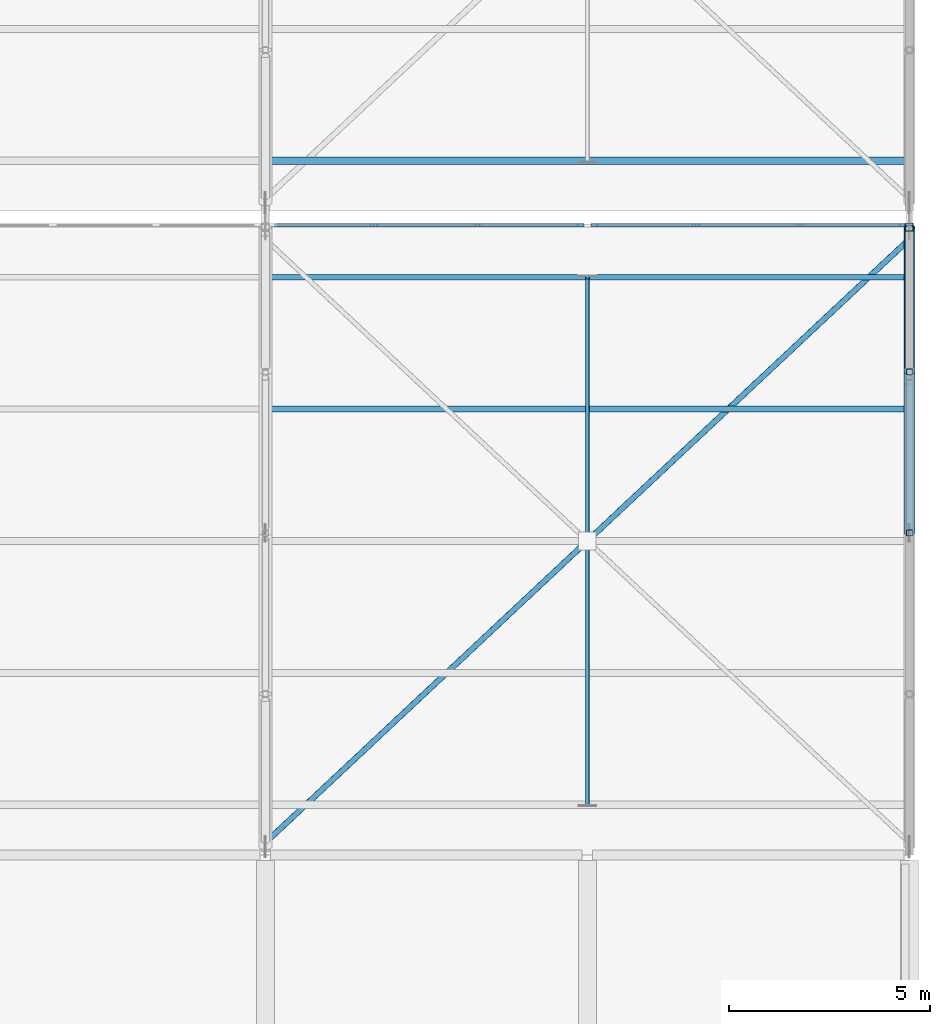
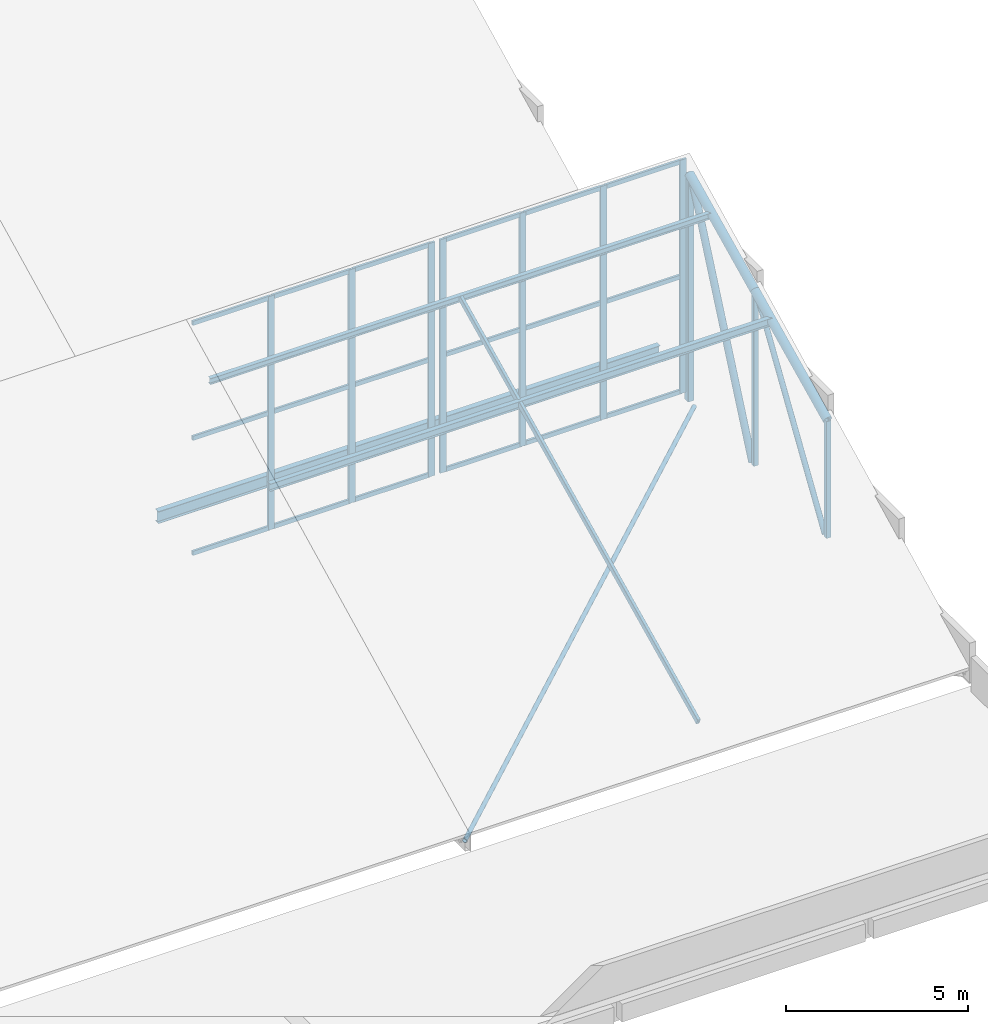
# One storey, part 85 of 137: 34 members, 3 beams, 2 elements without a shape of their own.
"""IFC4 building model written with IfcOpenShell, lengths in metres."""

import ifcopenshell
import ifcopenshell.guid

model = None  # the IFC model being written
_history = None  # IfcOwnerHistory: only IFC2X3 demands one
_inside = {}  # id of a spatial element -> (the spatial element, [elements in it])
_under = {}  # id of a project, library or spatial element -> (it, [spatial elements below it])
_declared = {}  # id of a project -> (the project, [libraries it declares])
_typed = {}  # id of a type object -> (the type object, [elements of that type])
_made_of = {}  # id of a material, layer set ... -> (it, [elements and type objects made of it])


def new_model(schema):
    """Start an empty IFC model of exactly this schema.

    Asked for "IFC4X3", IfcOpenShell would pick the latest addendum, in which some entities
    have other attributes; the version numbers below select the first issue.
    IFC2X3 requires an IfcOwnerHistory on every rooted entity: one is made here for all.
    """
    global model, _history
    if schema == "IFC4X3":
        model = ifcopenshell.file(schema_version=(4, 3, 0, 0))
    else:
        model = ifcopenshell.file(schema=schema)
    _inside.clear()
    _under.clear()
    _declared.clear()
    _typed.clear()
    _made_of.clear()
    _history = None
    if model.schema == "IFC2X3":
        org = make("IfcOrganization", Name="unknown")
        user = make(
            "IfcPersonAndOrganization",
            ThePerson=make("IfcPerson", FamilyName="unknown"),
            TheOrganization=org,
        )
        app = make(
            "IfcApplication",
            ApplicationDeveloper=org,
            Version="unknown",
            ApplicationFullName="unknown",
            ApplicationIdentifier="unknown",
        )
        _history = make(
            "IfcOwnerHistory",
            OwningUser=user,
            OwningApplication=app,
            ChangeAction="ADDED",
            CreationDate=0,
        )
    return model


def make(cls, **values):
    """One entity of the class cls with the attributes given. An attribute that is None is left unset."""
    return model.create_entity(
        cls, **{name: value for name, value in values.items() if value is not None}
    )


def rooted(cls, **values):
    """An entity with a GlobalId (a new one), such as an element, a storey or a relation."""
    return make(cls, GlobalId=ifcopenshell.guid.new(), OwnerHistory=_history, **values)


def si_unit(unit_type, name, prefix=None):
    """IfcSIUnit, for example si_unit("LENGTHUNIT", "METRE", prefix="MILLI")."""
    return make("IfcSIUnit", UnitType=unit_type, Prefix=prefix, Name=name)


def assignment(units):
    """IfcUnitAssignment: the units of a project."""
    return None if units is None else make("IfcUnitAssignment", Units=units)


def point(xyz):
    """IfcCartesianPoint."""
    return None if xyz is None else make("IfcCartesianPoint", Coordinates=xyz)


def direction(xyz):
    """IfcDirection."""
    return None if xyz is None else make("IfcDirection", DirectionRatios=xyz)


def frame(location, z_axis=None, x_axis=None):
    """IfcAxis2Placement3D, a coordinate frame: its origin and axes. An axis left out is left unset."""
    return make(
        "IfcAxis2Placement3D",
        Location=point(location),
        Axis=direction(z_axis),
        RefDirection=direction(x_axis),
    )


def frame_2d(location, x_axis=None):
    """IfcAxis2Placement2D, a coordinate frame in the plane: its origin and x axis."""
    return make(
        "IfcAxis2Placement2D", Location=point(location), RefDirection=direction(x_axis)
    )


def origin():
    """The frame at (0, 0, 0) with its axes left unset."""
    return frame((0.0, 0.0, 0.0))


def origin_2d():
    """The frame at (0, 0) in the plane with its x axis left unset."""
    return frame_2d((0.0, 0.0))


def place(relative_to, where):
    """IfcLocalPlacement: puts the frame where relative to a parent placement (None: the world)."""
    return make(
        "IfcLocalPlacement", PlacementRelTo=relative_to, RelativePlacement=where
    )


def context(
    kind, dimensions, precision=None, world=None, true_north=None, identifier=None
):
    """IfcGeometricRepresentationContext, for example the 3D "Model" context."""
    return make(
        "IfcGeometricRepresentationContext",
        ContextIdentifier=identifier,
        ContextType=kind,
        CoordinateSpaceDimension=dimensions,
        Precision=precision,
        WorldCoordinateSystem=world,
        TrueNorth=true_north,
    )


def subcontext(parent, identifier, kind, view, scale=None):
    """IfcGeometricRepresentationSubContext, for example "Body" below "Model"."""
    return make(
        "IfcGeometricRepresentationSubContext",
        ContextIdentifier=identifier,
        ContextType=kind,
        ParentContext=parent,
        TargetScale=scale,
        TargetView=view,
    )


def project(units=None, contexts=None):
    """IfcProject with its units and contexts."""
    return rooted(
        "IfcProject",
        Name="project",
        RepresentationContexts=contexts,
        UnitsInContext=assignment(units),
    )


def spatial(cls, under=None, at=None, **own):
    """A site, building, storey or space (cls), placed at a placement, below another one or the project."""
    s = rooted(cls, ObjectPlacement=at, **own)
    if under is not None:
        _under.setdefault(under.id(), (under, []))[1].append(s)
    return s


def profile(cls, at=None, kind="AREA", **sizes):
    """A parametric profile (cls). Its sizes go by their IFC names, for example OverallWidth=200.0."""
    return make(cls, ProfileType=kind, Position=at, **sizes)


def rectangle(**sizes):
    """IfcRectangleProfileDef."""
    return profile("IfcRectangleProfileDef", **sizes)


def hollow_rectangle(**sizes):
    """IfcRectangleHollowProfileDef."""
    return profile("IfcRectangleHollowProfileDef", **sizes)


def hollow_circle(**sizes):
    """IfcCircleHollowProfileDef."""
    return profile("IfcCircleHollowProfileDef", **sizes)


def i_section(**sizes):
    """IfcIShapeProfileDef."""
    return profile("IfcIShapeProfileDef", **sizes)


def extrude(swept, where, along, depth):
    """IfcExtrudedAreaSolid: the profile swept, set in the frame where, extruded along a direction by depth."""
    return make(
        "IfcExtrudedAreaSolid",
        SweptArea=swept,
        Position=where,
        ExtrudedDirection=direction(along),
        Depth=depth,
    )


def shape(context_of_items, identifier, shape_type, items):
    """IfcShapeRepresentation: the items that make up one representation, for example the "Body"."""
    return make(
        "IfcShapeRepresentation",
        ContextOfItems=context_of_items,
        RepresentationIdentifier=identifier,
        RepresentationType=shape_type,
        Items=items,
    )


def material(Name=None, Category=None):
    """IfcMaterial."""
    return make("IfcMaterial", Name=Name, Category=Category)


def layer(
    of_material, thickness, ventilated=None, Name=None, Category=None, Priority=None
):
    """IfcMaterialLayer: one layer of a wall or slab, of a material (None: an air gap)."""
    return make(
        "IfcMaterialLayer",
        Material=of_material,
        LayerThickness=thickness,
        IsVentilated=ventilated,
        Name=Name,
        Category=Category,
        Priority=Priority,
    )


def layer_set(layers, Name=None):
    """IfcMaterialLayerSet."""
    return make("IfcMaterialLayerSet", MaterialLayers=layers, LayerSetName=Name)


def material_profile(
    of_material, cross_section, Name=None, Category=None, Priority=None
):
    """IfcMaterialProfile: a cross section and its material."""
    return make(
        "IfcMaterialProfile",
        Name=Name,
        Material=of_material,
        Profile=cross_section,
        Priority=Priority,
        Category=Category,
    )


def profile_set(profiles, Name=None, composite=None):
    """IfcMaterialProfileSet."""
    return make(
        "IfcMaterialProfileSet",
        Name=Name,
        MaterialProfiles=profiles,
        CompositeProfile=composite,
    )


def made_of(thing, what):
    """Note that an element or type object is made of a material, layer set ...; save() writes the relation."""
    if what is not None:
        _made_of.setdefault(what.id(), (what, []))[1].append(thing)
    return thing


def type_object(cls, material=None, **own):
    """A type object (cls), such as IfcWallType, which elements share."""
    return made_of(rooted(cls, **own), material)


def element(
    cls,
    number,
    at=None,
    inside=None,
    cuts=None,
    type_object=None,
    material=None,
    context=None,
    identifier="Body",
    shape_type=None,
    held_by="IfcProductDefinitionShape",
    body=None,
    shapes=None,
    **own,
):
    """One element of the class cls, such as IfcWall. Its Tag is "e" and its number.

    at: its placement. inside: the storey or other place that contains it. cuts: it is an
    opening in that element (IfcRelVoidsElement). A single representation is given by context,
    identifier, shape_type and body (its items); several are given by shapes. held_by: the class
    of the entity that holds the representations. save() writes the other relations.
    """
    e = rooted(cls, Tag="e%d" % number, ObjectPlacement=at, **own)
    if body is not None:
        shapes = [shape(context, identifier, shape_type, body)]
    if shapes is not None:
        e.Representation = make(held_by, Representations=shapes)
    if inside is not None:
        _inside.setdefault(inside.id(), (inside, []))[1].append(e)
    if cuts is not None:
        rooted(
            "IfcRelVoidsElement", RelatingBuildingElement=cuts, RelatedOpeningElement=e
        )
    if type_object is not None:
        _typed.setdefault(type_object.id(), (type_object, []))[1].append(e)
    return made_of(e, material)


def aggregate(whole, parts):
    """IfcRelAggregates: a whole, such as a stair, and the parts it consists of."""
    return rooted("IfcRelAggregates", RelatingObject=whole, RelatedObjects=parts)


def save(model, path):
    """Write the relations noted so far, then the file.

    IfcRelAggregates (storeys below a building ...), IfcRelContainedInSpatialStructure (elements
    in a storey), IfcRelDefinesByType, IfcRelAssociatesMaterial and IfcRelDeclares: one each for
    every whole, place, type object, material and project.
    """
    for whole, parts in _under.values():
        aggregate(whole, parts)
    for where, things in _inside.values():
        rooted(
            "IfcRelContainedInSpatialStructure",
            RelatedElements=things,
            RelatingStructure=where,
        )
    for kind, things in _typed.values():
        rooted("IfcRelDefinesByType", RelatedObjects=things, RelatingType=kind)
    for what, things in _made_of.values():
        rooted("IfcRelAssociatesMaterial", RelatedObjects=things, RelatingMaterial=what)
    for by, libraries in _declared.values():
        rooted("IfcRelDeclares", RelatingContext=by, RelatedDefinitions=libraries)
    model.write(path)


model = new_model("IFC4")

# Units and contexts
model_context = context("Model", 3, precision=1e-05, world=origin(), true_north=direction((0.0, 1.0)))
body_context = subcontext(model_context, "Body", "Model", "MODEL_VIEW")
ifc_project = project(units=[si_unit("LENGTHUNIT", "METRE"), si_unit("AREAUNIT", "SQUARE_METRE"), si_unit("VOLUMEUNIT", "CUBIC_METRE"), si_unit("PLANEANGLEUNIT", "RADIAN"), si_unit("MASSUNIT", "GRAM", prefix="KILO")], contexts=[model_context])

# Site, building, storey
site_placement = place(None, origin())
site = spatial("IfcSite", under=ifc_project, at=site_placement, CompositionType="ELEMENT")
building_placement = place(site_placement, origin())
building = spatial("IfcBuilding", under=site, at=building_placement, Name="Jelvoka-Kovrelna Polytechnic", CompositionType="ELEMENT")
storey_placement = place(building_placement, frame((0.0, 0.0, 9.60009765625)))
storey = spatial("IfcBuildingStorey", under=building, at=storey_placement, Name="L03", CompositionType="ELEMENT", Elevation=9.60009765625)

# Members
ifc_material_1 = material(Name="Structural steel S355J2H", Category="steel")
ifc_material_profile_1 = material_profile(ifc_material_1, hollow_circle(Radius=0.06982421875, WallThickness=0.00634765625, at=origin_2d()), Name="139.7x6.3 CHS")
ifc_profile_set_1 = profile_set([ifc_material_profile_1], Name="Structural steel S355J2H")
member_type_1 = type_object("IfcMemberType", Name="Member_Brace_CHS140", PredefinedType="BRACE", material=ifc_profile_set_1)
member_1_placement = place(storey_placement, frame((184.050048828125, 88.35009765625, 0.14990234375), z_axis=(0.72968044266, 0.683788309055, 0.0), x_axis=(-0.683788309055, 0.72968044266, 0.0)))
element("IfcMember", 1, at=member_1_placement, inside=storey, type_object=member_type_1, Name="Sawtooth roof continuous X-brace 0226", PredefinedType="BRACE", context=body_context, shape_type="SweptSolid", body=[
    extrude(hollow_circle(Radius=0.06982421875, WallThickness=0.00634765625, at=origin_2d()), origin(), (0.0, 0.0, 1.0), 21.790283203125),
])
ifc_material_2 = material(Name="Structural steel S355J2H", Category="steel")
ifc_material_profile_2 = material_profile(ifc_material_2, hollow_circle(Radius=0.084228515625, WallThickness=0.008056640625, at=origin_2d()), Name="168.3x8.0 CHS")
ifc_profile_set_2 = profile_set([ifc_material_profile_2], Name="Structural steel S355J2H")
member_type_2 = type_object("IfcMemberType", Name="Member_Brace_CHS168", PredefinedType="BRACE", material=ifc_profile_set_2)
member_2_placement = place(storey_placement, frame((200.0, 96.139892578125, 0.14990234375), z_axis=(0.0, 0.5415746521, 0.840652660855), x_axis=(-1.0, 0.0, 0.0)))
element("IfcMember", 2, at=member_2_placement, inside=storey, type_object=member_type_2, Name="Sawtooth truss 8 diagonal web 1.3", PredefinedType="BRACE", context=body_context, shape_type="SweptSolid", body=[
    extrude(hollow_circle(Radius=0.084228515625, WallThickness=0.008056640625, at=origin_2d()), origin(), (0.0, 0.0, 1.0), 6.869140625),
])
ifc_material_3 = material(Name="Structural steel S355J2H", Category="steel")
ifc_material_profile_3 = material_profile(ifc_material_3, hollow_circle(Radius=0.109619140625, WallThickness=0.008056640625, at=origin_2d()), Name="219.1x8.0 CHS")
ifc_profile_set_3 = profile_set([ifc_material_profile_3], Name="Structural steel S355J2H")
member_type_3 = type_object("IfcMemberType", Name="Member_Brace_CHS219", PredefinedType="BRACE", material=ifc_profile_set_3)
member_3_placement = place(storey_placement, frame((200.0, 100.139892578125, 0.14990234375), z_axis=(0.0, 0.404336237521, 0.914610412705), x_axis=(-1.0, 0.0, 0.0)))
element("IfcMember", 3, at=member_3_placement, inside=storey, type_object=member_type_3, Name="Sawtooth truss 8 diagonal web 1.4", PredefinedType="BRACE", context=body_context, shape_type="SweptSolid", body=[
    extrude(hollow_circle(Radius=0.109619140625, WallThickness=0.008056640625, at=origin_2d()), origin(), (0.0, 0.0, 1.0), 8.211181640625),
])
ifc_material_4 = material(Name="Structural steel S355J2H", Category="steel")
ifc_material_profile_4 = material_profile(ifc_material_4, hollow_circle(Radius=0.136474609375, WallThickness=0.010009765625, at=origin_2d()), Name="273.0x10.0 CHS")
ifc_profile_set_4 = profile_set([ifc_material_profile_4], Name="Structural steel S355J2H")
member_type_4 = type_object("IfcMemberType", Name="Member_Chord_CHS273", PredefinedType="CHORD", material=ifc_profile_set_4)
member_4_placement = place(storey_placement, frame((200.0, 96.0, 4.076416015625), z_axis=(0.0, 0.900820911068, 0.434190840741), x_axis=(-1.0, 0.0, 0.0)))
element("IfcMember", 4, at=member_4_placement, inside=storey, type_object=member_type_4, Name="Sawtooth truss 8 top chord 1.3", PredefinedType="CHORD", context=body_context, shape_type="SweptSolid", body=[
    extrude(hollow_circle(Radius=0.136474609375, WallThickness=0.010009765625, at=origin_2d()), origin(), (0.0, 0.0, 1.0), 4.4404296875),
])
member_5_placement = place(storey_placement, frame((200.0, 100.0, 6.00439453125), z_axis=(0.0, 0.900784896778, 0.434265552095), x_axis=(-1.0, 0.0, 0.0)))
element("IfcMember", 5, at=member_5_placement, inside=storey, type_object=member_type_4, Name="Sawtooth truss 8 top chord 1.4", PredefinedType="CHORD", context=body_context, shape_type="SweptSolid", body=[
    extrude(hollow_circle(Radius=0.136474609375, WallThickness=0.010009765625, at=origin_2d()), origin(), (0.0, 0.0, 1.0), 3.99658203125),
])
ifc_material_5 = material(Name="Structural steel S355J2H", Category="steel")
ifc_material_profile_5 = material_profile(ifc_material_5, hollow_rectangle(XDim=0.14990234375, YDim=0.14990234375, WallThickness=0.008056640625, InnerFilletRadius=0.008056640625, OuterFilletRadius=0.011962890625, at=origin_2d()), Name="150x150x8.0 SHS")
ifc_profile_set_5 = profile_set([ifc_material_profile_5], Name="Structural steel S355J2H")
member_type_5 = type_object("IfcMemberType", Name="Member_Post_SHS150", PredefinedType="POST", material=ifc_profile_set_5)
member_6_placement = place(storey_placement, frame((200.0, 96.0, 0.14990234375), z_axis=(0.0, 0.0, 1.0), x_axis=(1.0, 0.0, 0.0)))
element("IfcMember", 6, at=member_6_placement, inside=storey, type_object=member_type_5, Name="Sawtooth truss 8 web post 1.3", PredefinedType="POST", context=body_context, shape_type="SweptSolid", body=[
    extrude(hollow_rectangle(XDim=0.14990234375, YDim=0.14990234375, WallThickness=0.008056640625, InnerFilletRadius=0.008056640625, OuterFilletRadius=0.011962890625, at=origin_2d()), origin(), (0.0, 0.0, 1.0), 3.926513671875),
])
member_7_placement = place(storey_placement, frame((200.0, 100.0, 0.14990234375), z_axis=(0.0, 0.0, 1.0), x_axis=(1.0, 0.0, 0.0)))
element("IfcMember", 7, at=member_7_placement, inside=storey, type_object=member_type_5, Name="Sawtooth truss 8 web post 1.4", PredefinedType="POST", context=body_context, shape_type="SweptSolid", body=[
    extrude(hollow_rectangle(XDim=0.14990234375, YDim=0.14990234375, WallThickness=0.008056640625, InnerFilletRadius=0.008056640625, OuterFilletRadius=0.011962890625, at=origin_2d()), origin(), (0.0, 0.0, 1.0), 5.8544921875),
])
ifc_material_6 = material(Name="Structural steel S355J2H", Category="steel")
ifc_material_profile_6 = material_profile(ifc_material_6, hollow_rectangle(XDim=0.199951171875, YDim=0.199951171875, WallThickness=0.010009765625, InnerFilletRadius=0.010009765625, OuterFilletRadius=0.014892578125, at=origin_2d()), Name="200x200x10.0 SHS")
ifc_profile_set_6 = profile_set([ifc_material_profile_6], Name="Structural steel S355J2H")
member_type_6 = type_object("IfcMemberType", Name="Member_Post_SHS200", PredefinedType="POST", material=ifc_profile_set_6)
member_8_placement = place(storey_placement, frame((200.0, 103.60009765625, 0.14990234375), z_axis=(0.0, 0.0, 1.0), x_axis=(1.0, 0.0, 0.0)))
element("IfcMember", 8, at=member_8_placement, inside=storey, type_object=member_type_6, Name="Sawtooth truss 8 web post 1.5", PredefinedType="POST", context=body_context, shape_type="SweptSolid", body=[
    extrude(hollow_rectangle(XDim=0.199951171875, YDim=0.199951171875, WallThickness=0.010009765625, InnerFilletRadius=0.010009765625, OuterFilletRadius=0.014892578125, at=origin_2d()), origin(), (0.0, 0.0, 1.0), 7.590087890625),
])
ifc_material_7 = material(Name="Structural steel S355J2H", Category="steel")
ifc_material_profile_7 = material_profile(ifc_material_7, hollow_rectangle(XDim=0.10009765625, YDim=0.199951171875, WallThickness=0.008056640625, InnerFilletRadius=0.008056640625, OuterFilletRadius=0.011962890625, at=origin_2d()), Name="200x100x8.0 RHS")
ifc_profile_set_7 = profile_set([ifc_material_profile_7], Name="Structural steel S355J2H")
member_type_7 = type_object("IfcMemberType", Name="Member_Rafter_RHS200", PredefinedType="RAFTER", material=ifc_profile_set_7)
member_9_placement = place(storey_placement, frame((192.0, 89.248046875, 0.821533203125), z_axis=(0.0, 0.900805023058, 0.434223802243), x_axis=(-1.0, 0.0, 0.0)))
element("IfcMember", 9, at=member_9_placement, inside=storey, type_object=member_type_7, Name="Sawtooth mid-bay secondary rafter 7.1", PredefinedType="RAFTER", context=body_context, shape_type="SweptSolid", body=[
    extrude(hollow_rectangle(XDim=0.10009765625, YDim=0.199951171875, WallThickness=0.008056640625, InnerFilletRadius=0.008056640625, OuterFilletRadius=0.011962890625, at=origin_2d()), origin(), (0.0, 0.0, 1.0), 14.546875),
])

# Curtain wall, members
ifc_material_8 = material(Name="Anodised aluminium 6063-T6", Category="aluminium")
ifc_layer = layer(ifc_material_8, 0.199951171875)
ifc_layer_set = layer_set([ifc_layer], Name="Anodised aluminium 6063-T6")
curtain_wall_type = type_object("IfcCurtainWallType", Name="CW_Clerestory", PredefinedType="NOTDEFINED", material=ifc_layer_set)
curtain_wall_1_placement = place(storey_placement, origin())
curtain_wall_1 = element("IfcCurtainWall", 10, at=curtain_wall_1_placement, inside=storey, type_object=curtain_wall_type, Name="L03 glazed curtain wall 207", PredefinedType="NOTDEFINED")
ifc_material_9 = material(Name="Anodised aluminium 6063-T6", Category="aluminium")
ifc_material_profile_8 = material_profile(ifc_material_9, rectangle(XDim=0.070068359375, YDim=0.199951171875, at=origin_2d()), Name="ALU 70x200")
ifc_profile_set_8 = profile_set([ifc_material_profile_8], Name="Anodised aluminium 6063-T6")
member_type_8 = type_object("IfcMemberType", Name="Mullion_M-03", PredefinedType="MULLION", material=ifc_profile_set_8)
member_10_placement = place(storey_placement, frame((186.716552734375, 103.64990234375, 0.425048828125), z_axis=(0.0, 0.0, 1.0), x_axis=(0.0, 1.0, 0.0)))
member_10 = element("IfcMember", 11, at=member_10_placement, type_object=member_type_8, Name="CW-03 mullion 2", PredefinedType="MULLION", context=body_context, shape_type="SweptSolid", body=[
    extrude(rectangle(XDim=0.070068359375, YDim=0.199951171875, at=origin_2d()), origin(), (0.0, 0.0, 1.0), 7.85009765625),
])
member_11_placement = place(storey_placement, frame((189.283447265625, 103.64990234375, 0.425048828125), z_axis=(0.0, 0.0, 1.0), x_axis=(0.0, 1.0, 0.0)))
member_11 = element("IfcMember", 12, at=member_11_placement, type_object=member_type_8, Name="CW-03 mullion 3", PredefinedType="MULLION", context=body_context, shape_type="SweptSolid", body=[
    extrude(rectangle(XDim=0.070068359375, YDim=0.199951171875, at=origin_2d()), origin(), (0.0, 0.0, 1.0), 7.85009765625),
])
member_12_placement = place(storey_placement, frame((191.81494140625, 103.64990234375, 0.425048828125), z_axis=(0.0, 0.0, 1.0), x_axis=(0.0, 1.0, 0.0)))
member_12 = element("IfcMember", 13, at=member_12_placement, type_object=member_type_8, Name="CW-03 mullion 4", PredefinedType="MULLION", context=body_context, shape_type="SweptSolid", body=[
    extrude(rectangle(XDim=0.070068359375, YDim=0.199951171875, at=origin_2d()), origin(), (0.0, 0.0, 1.0), 7.85009765625),
])

curtain_wall_2_placement = place(storey_placement, origin())
curtain_wall_2 = element("IfcCurtainWall", 14, at=curtain_wall_2_placement, inside=storey, type_object=curtain_wall_type, Name="L03 glazed curtain wall 209", PredefinedType="NOTDEFINED")
member_13_placement = place(storey_placement, frame((192.18505859375, 103.64990234375, 0.425048828125), z_axis=(0.0, 0.0, 1.0), x_axis=(0.0, 1.0, 0.0)))
member_13 = element("IfcMember", 15, at=member_13_placement, type_object=member_type_8, Name="CW-03 mullion 1", PredefinedType="MULLION", context=body_context, shape_type="SweptSolid", body=[
    extrude(rectangle(XDim=0.070068359375, YDim=0.199951171875, at=origin_2d()), origin(), (0.0, 0.0, 1.0), 7.85009765625),
])
member_14_placement = place(storey_placement, frame((194.716552734375, 103.64990234375, 0.425048828125), z_axis=(0.0, 0.0, 1.0), x_axis=(0.0, 1.0, 0.0)))
member_14 = element("IfcMember", 16, at=member_14_placement, type_object=member_type_8, Name="CW-03 mullion 2", PredefinedType="MULLION", context=body_context, shape_type="SweptSolid", body=[
    extrude(rectangle(XDim=0.070068359375, YDim=0.199951171875, at=origin_2d()), origin(), (0.0, 0.0, 1.0), 7.85009765625),
])
member_15_placement = place(storey_placement, frame((197.283447265625, 103.64990234375, 0.425048828125), z_axis=(0.0, 0.0, 1.0), x_axis=(0.0, 1.0, 0.0)))
member_15 = element("IfcMember", 17, at=member_15_placement, type_object=member_type_8, Name="CW-03 mullion 3", PredefinedType="MULLION", context=body_context, shape_type="SweptSolid", body=[
    extrude(rectangle(XDim=0.070068359375, YDim=0.199951171875, at=origin_2d()), origin(), (0.0, 0.0, 1.0), 7.85009765625),
])
member_16_placement = place(storey_placement, frame((199.81494140625, 103.64990234375, 0.425048828125), z_axis=(0.0, 0.0, 1.0), x_axis=(0.0, 1.0, 0.0)))
member_16 = element("IfcMember", 18, at=member_16_placement, type_object=member_type_8, Name="CW-03 mullion 4", PredefinedType="MULLION", context=body_context, shape_type="SweptSolid", body=[
    extrude(rectangle(XDim=0.070068359375, YDim=0.199951171875, at=origin_2d()), origin(), (0.0, 0.0, 1.0), 7.85009765625),
])

# Beams
ifc_material_10 = material(Name="Structural steel S355JR", Category="steel")
ifc_material_profile_9 = material_profile(ifc_material_10, i_section(OverallWidth=0.13330078125, OverallDepth=0.203125, WebThickness=0.005615234375, FlangeThickness=0.0078125, FilletRadius=0.007568359375, at=origin_2d()), Name="203x133x25 UB")
ifc_profile_set_9 = profile_set([ifc_material_profile_9], Name="Structural steel S355JR")
beam_type_1 = type_object("IfcBeamType", Name="Purlin_Steel_UB203", PredefinedType="JOIST", material=ifc_profile_set_9)
beam_1_placement = place(storey_placement, frame((184.02001953125, 102.35205078125, 7.13818359375), z_axis=(1.0, 0.0, 0.0), x_axis=(0.0, 1.0, 0.0)))
element("IfcBeam", 19, at=beam_1_placement, inside=storey, type_object=beam_type_1, Name="Sawtooth roof purlin 065", PredefinedType="JOIST", context=body_context, shape_type="SweptSolid", body=[
    extrude(i_section(OverallWidth=0.13330078125, OverallDepth=0.203125, WebThickness=0.005615234375, FlangeThickness=0.0078125, FilletRadius=0.007568359375, at=origin_2d()), origin(), (0.0, 0.0, 1.0), 15.9599609375),
])
ifc_material_11 = material(Name="Structural steel S355JR", Category="steel")
ifc_material_profile_10 = material_profile(ifc_material_11, i_section(OverallWidth=0.14599609375, OverallDepth=0.25146484375, WebThickness=0.006103515625, FlangeThickness=0.008544921875, FilletRadius=0.007568359375, at=origin_2d()), Name="254x146x31 UB")
ifc_profile_set_10 = profile_set([ifc_material_profile_10], Name="Structural steel S355JR")
beam_type_2 = type_object("IfcBeamType", Name="Purlin_Steel_UB254", PredefinedType="JOIST", material=ifc_profile_set_10)
beam_2_placement = place(storey_placement, frame((184.02001953125, 99.075927734375, 5.55908203125), z_axis=(1.0, 0.0, 0.0), x_axis=(0.0, 1.0, 0.0)))
element("IfcBeam", 20, at=beam_2_placement, inside=storey, type_object=beam_type_2, Name="Sawtooth roof purlin 064", PredefinedType="JOIST", context=body_context, shape_type="SweptSolid", body=[
    extrude(i_section(OverallWidth=0.14599609375, OverallDepth=0.25146484375, WebThickness=0.006103515625, FlangeThickness=0.008544921875, FilletRadius=0.007568359375, at=origin_2d()), origin(), (0.0, 0.0, 1.0), 15.9599609375),
])
ifc_material_12 = material(Name="Structural steel S355JR", Category="steel")
ifc_material_profile_11 = material_profile(ifc_material_12, i_section(OverallWidth=0.177978515625, OverallDepth=0.406494140625, WebThickness=0.0078125, FlangeThickness=0.0126953125, FilletRadius=0.01025390625, at=origin_2d()), Name="406x178x60 UB")
ifc_profile_set_11 = profile_set([ifc_material_profile_11], Name="Structural steel S355JR")
beam_type_3 = type_object("IfcBeamType", Name="Purlin_Steel_UB406", PredefinedType="JOIST", material=ifc_profile_set_11)
beam_3_placement = place(storey_placement, frame((184.02001953125, 105.248046875, 0.821533203125), z_axis=(1.0, 0.0, 0.0), x_axis=(0.0, 1.0, 0.0)))
element("IfcBeam", 21, at=beam_3_placement, inside=storey, type_object=beam_type_3, Name="Sawtooth roof purlin 066", PredefinedType="JOIST", context=body_context, shape_type="SweptSolid", body=[
    extrude(i_section(OverallWidth=0.177978515625, OverallDepth=0.406494140625, WebThickness=0.0078125, FlangeThickness=0.0126953125, FilletRadius=0.01025390625, at=origin_2d()), origin(), (0.0, 0.0, 1.0), 15.9599609375),
])

# Member
ifc_material_13 = material(Name="Anodised aluminium 6063-T6", Category="aluminium")
ifc_material_profile_12 = material_profile(ifc_material_13, rectangle(XDim=0.070068359375, YDim=0.14501953125, at=origin_2d()), Name="ALU 70x145")
ifc_profile_set_12 = profile_set([ifc_material_profile_12], Name="Anodised aluminium 6063-T6")
member_type_9 = type_object("IfcMemberType", Name="Transom_T-03", PredefinedType="USERDEFINED", material=ifc_profile_set_12)
member_17_placement = place(storey_placement, frame((184.219970703125, 103.64990234375, 0.48486328125), z_axis=(1.0, 0.0, 0.0), x_axis=(0.0, 1.0, 0.0)))
member_17 = element("IfcMember", 22, at=member_17_placement, type_object=member_type_9, Name="CW-03 transom 1.1", ObjectType="TRANSOM", PredefinedType="USERDEFINED", context=body_context, shape_type="SweptSolid", body=[
    extrude(rectangle(XDim=0.070068359375, YDim=0.14501953125, at=origin_2d()), origin(), (0.0, 0.0, 1.0), 2.461669921875),
])

member_18_placement = place(storey_placement, frame((184.219970703125, 103.64990234375, 4.349853515625), z_axis=(1.0, 0.0, 0.0), x_axis=(0.0, 1.0, 0.0)))
member_18 = element("IfcMember", 23, at=member_18_placement, type_object=member_type_9, Name="CW-03 transom 1.2", ObjectType="TRANSOM", PredefinedType="USERDEFINED", context=body_context, shape_type="SweptSolid", body=[
    extrude(rectangle(XDim=0.070068359375, YDim=0.14501953125, at=origin_2d()), origin(), (0.0, 0.0, 1.0), 2.461669921875),
])

member_19_placement = place(storey_placement, frame((184.219970703125, 103.64990234375, 8.21484375), z_axis=(1.0, 0.0, 0.0), x_axis=(0.0, 1.0, 0.0)))
member_19 = element("IfcMember", 24, at=member_19_placement, type_object=member_type_9, Name="CW-03 transom 1.3", ObjectType="TRANSOM", PredefinedType="USERDEFINED", context=body_context, shape_type="SweptSolid", body=[
    extrude(rectangle(XDim=0.070068359375, YDim=0.14501953125, at=origin_2d()), origin(), (0.0, 0.0, 1.0), 2.461669921875),
])

member_20_placement = place(storey_placement, frame((186.751708984375, 103.64990234375, 0.48486328125), z_axis=(1.0, 0.0, 0.0), x_axis=(0.0, 1.0, 0.0)))
member_20 = element("IfcMember", 25, at=member_20_placement, type_object=member_type_9, Name="CW-03 transom 2.1", ObjectType="TRANSOM", PredefinedType="USERDEFINED", context=body_context, shape_type="SweptSolid", body=[
    extrude(rectangle(XDim=0.070068359375, YDim=0.14501953125, at=origin_2d()), origin(), (0.0, 0.0, 1.0), 2.49658203125),
])

member_21_placement = place(storey_placement, frame((186.751708984375, 103.64990234375, 4.349853515625), z_axis=(1.0, 0.0, 0.0), x_axis=(0.0, 1.0, 0.0)))
member_21 = element("IfcMember", 26, at=member_21_placement, type_object=member_type_9, Name="CW-03 transom 2.2", ObjectType="TRANSOM", PredefinedType="USERDEFINED", context=body_context, shape_type="SweptSolid", body=[
    extrude(rectangle(XDim=0.070068359375, YDim=0.14501953125, at=origin_2d()), origin(), (0.0, 0.0, 1.0), 2.49658203125),
])

member_22_placement = place(storey_placement, frame((186.751708984375, 103.64990234375, 8.21484375), z_axis=(1.0, 0.0, 0.0), x_axis=(0.0, 1.0, 0.0)))
member_22 = element("IfcMember", 27, at=member_22_placement, type_object=member_type_9, Name="CW-03 transom 2.3", ObjectType="TRANSOM", PredefinedType="USERDEFINED", context=body_context, shape_type="SweptSolid", body=[
    extrude(rectangle(XDim=0.070068359375, YDim=0.14501953125, at=origin_2d()), origin(), (0.0, 0.0, 1.0), 2.49658203125),
])

member_23_placement = place(storey_placement, frame((189.318359375, 103.64990234375, 0.48486328125), z_axis=(1.0, 0.0, 0.0), x_axis=(0.0, 1.0, 0.0)))
member_23 = element("IfcMember", 28, at=member_23_placement, type_object=member_type_9, Name="CW-03 transom 3.1", ObjectType="TRANSOM", PredefinedType="USERDEFINED", context=body_context, shape_type="SweptSolid", body=[
    extrude(rectangle(XDim=0.070068359375, YDim=0.14501953125, at=origin_2d()), origin(), (0.0, 0.0, 1.0), 2.461669921875),
])

member_24_placement = place(storey_placement, frame((189.318359375, 103.64990234375, 4.349853515625), z_axis=(1.0, 0.0, 0.0), x_axis=(0.0, 1.0, 0.0)))
member_24 = element("IfcMember", 29, at=member_24_placement, type_object=member_type_9, Name="CW-03 transom 3.2", ObjectType="TRANSOM", PredefinedType="USERDEFINED", context=body_context, shape_type="SweptSolid", body=[
    extrude(rectangle(XDim=0.070068359375, YDim=0.14501953125, at=origin_2d()), origin(), (0.0, 0.0, 1.0), 2.461669921875),
])

member_25_placement = place(storey_placement, frame((189.318359375, 103.64990234375, 8.21484375), z_axis=(1.0, 0.0, 0.0), x_axis=(0.0, 1.0, 0.0)))
member_25 = element("IfcMember", 30, at=member_25_placement, type_object=member_type_9, Name="CW-03 transom 3.3", ObjectType="TRANSOM", PredefinedType="USERDEFINED", context=body_context, shape_type="SweptSolid", body=[
    extrude(rectangle(XDim=0.070068359375, YDim=0.14501953125, at=origin_2d()), origin(), (0.0, 0.0, 1.0), 2.461669921875),
])

aggregate(curtain_wall_1, [member_10, member_11, member_12, member_17, member_18, member_19, member_20, member_21, member_22, member_23, member_24, member_25])

member_26_placement = place(storey_placement, frame((192.219970703125, 103.64990234375, 0.48486328125), z_axis=(1.0, 0.0, 0.0), x_axis=(0.0, 1.0, 0.0)))
member_26 = element("IfcMember", 31, at=member_26_placement, type_object=member_type_9, Name="CW-03 transom 1.1", ObjectType="TRANSOM", PredefinedType="USERDEFINED", context=body_context, shape_type="SweptSolid", body=[
    extrude(rectangle(XDim=0.070068359375, YDim=0.14501953125, at=origin_2d()), origin(), (0.0, 0.0, 1.0), 2.461669921875),
])

member_27_placement = place(storey_placement, frame((192.219970703125, 103.64990234375, 4.349853515625), z_axis=(1.0, 0.0, 0.0), x_axis=(0.0, 1.0, 0.0)))
member_27 = element("IfcMember", 32, at=member_27_placement, type_object=member_type_9, Name="CW-03 transom 1.2", ObjectType="TRANSOM", PredefinedType="USERDEFINED", context=body_context, shape_type="SweptSolid", body=[
    extrude(rectangle(XDim=0.070068359375, YDim=0.14501953125, at=origin_2d()), origin(), (0.0, 0.0, 1.0), 2.461669921875),
])

member_28_placement = place(storey_placement, frame((192.219970703125, 103.64990234375, 8.21484375), z_axis=(1.0, 0.0, 0.0), x_axis=(0.0, 1.0, 0.0)))
member_28 = element("IfcMember", 33, at=member_28_placement, type_object=member_type_9, Name="CW-03 transom 1.3", ObjectType="TRANSOM", PredefinedType="USERDEFINED", context=body_context, shape_type="SweptSolid", body=[
    extrude(rectangle(XDim=0.070068359375, YDim=0.14501953125, at=origin_2d()), origin(), (0.0, 0.0, 1.0), 2.461669921875),
])

member_29_placement = place(storey_placement, frame((194.751708984375, 103.64990234375, 0.48486328125), z_axis=(1.0, 0.0, 0.0), x_axis=(0.0, 1.0, 0.0)))
member_29 = element("IfcMember", 34, at=member_29_placement, type_object=member_type_9, Name="CW-03 transom 2.1", ObjectType="TRANSOM", PredefinedType="USERDEFINED", context=body_context, shape_type="SweptSolid", body=[
    extrude(rectangle(XDim=0.070068359375, YDim=0.14501953125, at=origin_2d()), origin(), (0.0, 0.0, 1.0), 2.49658203125),
])

member_30_placement = place(storey_placement, frame((194.751708984375, 103.64990234375, 4.349853515625), z_axis=(1.0, 0.0, 0.0), x_axis=(0.0, 1.0, 0.0)))
member_30 = element("IfcMember", 35, at=member_30_placement, type_object=member_type_9, Name="CW-03 transom 2.2", ObjectType="TRANSOM", PredefinedType="USERDEFINED", context=body_context, shape_type="SweptSolid", body=[
    extrude(rectangle(XDim=0.070068359375, YDim=0.14501953125, at=origin_2d()), origin(), (0.0, 0.0, 1.0), 2.49658203125),
])

member_31_placement = place(storey_placement, frame((194.751708984375, 103.64990234375, 8.21484375), z_axis=(1.0, 0.0, 0.0), x_axis=(0.0, 1.0, 0.0)))
member_31 = element("IfcMember", 36, at=member_31_placement, type_object=member_type_9, Name="CW-03 transom 2.3", ObjectType="TRANSOM", PredefinedType="USERDEFINED", context=body_context, shape_type="SweptSolid", body=[
    extrude(rectangle(XDim=0.070068359375, YDim=0.14501953125, at=origin_2d()), origin(), (0.0, 0.0, 1.0), 2.49658203125),
])

member_32_placement = place(storey_placement, frame((197.318359375, 103.64990234375, 0.48486328125), z_axis=(1.0, 0.0, 0.0), x_axis=(0.0, 1.0, 0.0)))
member_32 = element("IfcMember", 37, at=member_32_placement, type_object=member_type_9, Name="CW-03 transom 3.1", ObjectType="TRANSOM", PredefinedType="USERDEFINED", context=body_context, shape_type="SweptSolid", body=[
    extrude(rectangle(XDim=0.070068359375, YDim=0.14501953125, at=origin_2d()), origin(), (0.0, 0.0, 1.0), 2.461669921875),
])

member_33_placement = place(storey_placement, frame((197.318359375, 103.64990234375, 4.349853515625), z_axis=(1.0, 0.0, 0.0), x_axis=(0.0, 1.0, 0.0)))
member_33 = element("IfcMember", 38, at=member_33_placement, type_object=member_type_9, Name="CW-03 transom 3.2", ObjectType="TRANSOM", PredefinedType="USERDEFINED", context=body_context, shape_type="SweptSolid", body=[
    extrude(rectangle(XDim=0.070068359375, YDim=0.14501953125, at=origin_2d()), origin(), (0.0, 0.0, 1.0), 2.461669921875),
])

member_34_placement = place(storey_placement, frame((197.318359375, 103.64990234375, 8.21484375), z_axis=(1.0, 0.0, 0.0), x_axis=(0.0, 1.0, 0.0)))
member_34 = element("IfcMember", 39, at=member_34_placement, type_object=member_type_9, Name="CW-03 transom 3.3", ObjectType="TRANSOM", PredefinedType="USERDEFINED", context=body_context, shape_type="SweptSolid", body=[
    extrude(rectangle(XDim=0.070068359375, YDim=0.14501953125, at=origin_2d()), origin(), (0.0, 0.0, 1.0), 2.461669921875),
])

aggregate(curtain_wall_2, [member_13, member_14, member_15, member_16, member_26, member_27, member_28, member_29, member_30, member_31, member_32, member_33, member_34])

save(model, "model.ifc")
